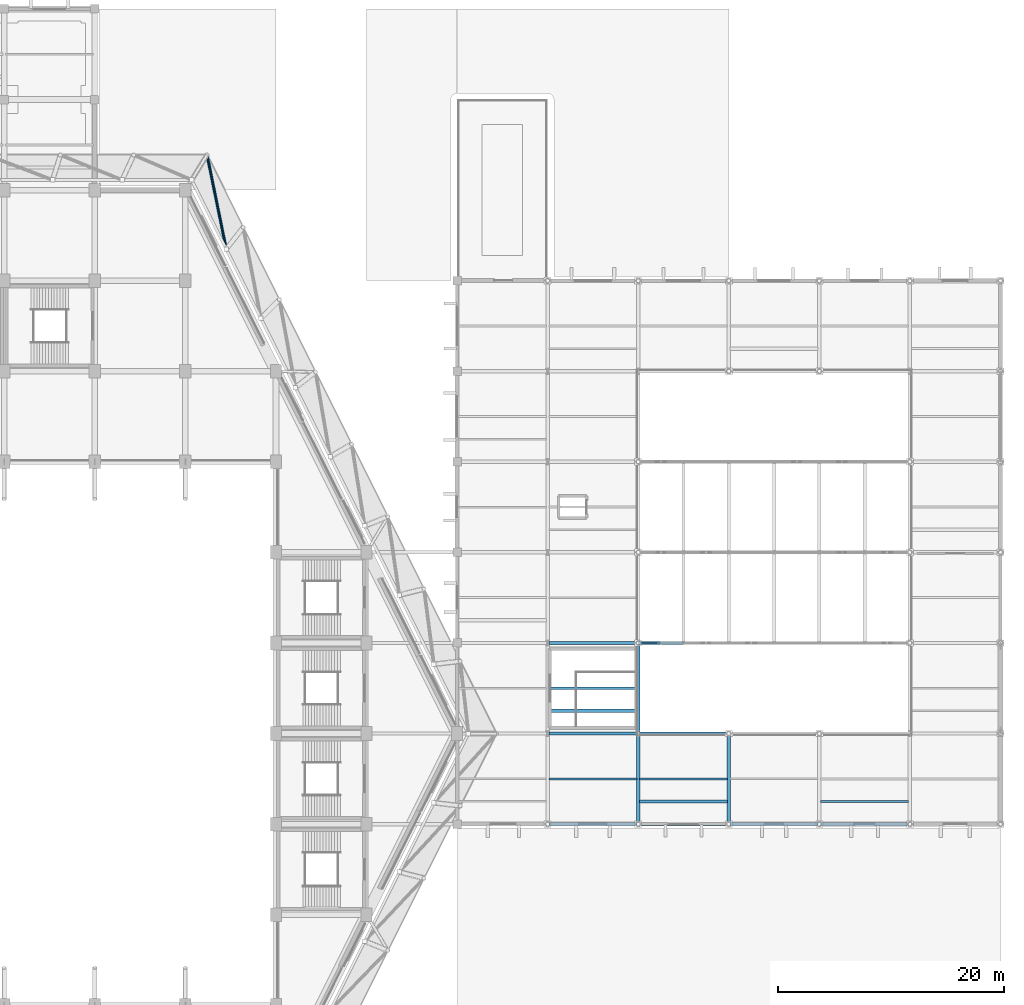
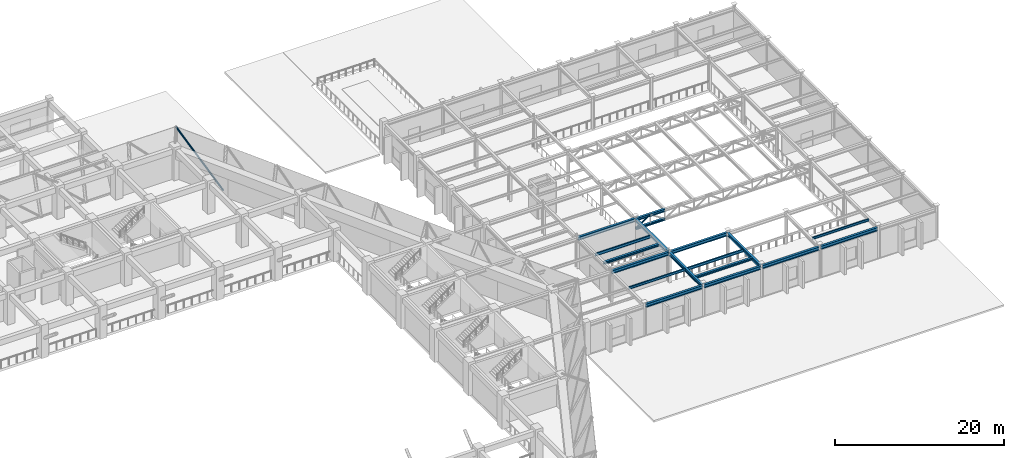
# One storey, part 11 of 46: 16 beams, 4 members.
"""IFC4 building model written with IfcOpenShell, lengths in metres."""

import ifcopenshell
import ifcopenshell.guid

model = None  # the IFC model being written
_history = None  # IfcOwnerHistory: only IFC2X3 demands one
_inside = {}  # id of a spatial element -> (the spatial element, [elements in it])
_under = {}  # id of a project, library or spatial element -> (it, [spatial elements below it])
_declared = {}  # id of a project -> (the project, [libraries it declares])
_typed = {}  # id of a type object -> (the type object, [elements of that type])
_made_of = {}  # id of a material, layer set ... -> (it, [elements and type objects made of it])


def new_model(schema):
    """Start an empty IFC model of exactly this schema.

    Asked for "IFC4X3", IfcOpenShell would pick the latest addendum, in which some entities
    have other attributes; the version numbers below select the first issue.
    IFC2X3 requires an IfcOwnerHistory on every rooted entity: one is made here for all.
    """
    global model, _history
    if schema == "IFC4X3":
        model = ifcopenshell.file(schema_version=(4, 3, 0, 0))
    else:
        model = ifcopenshell.file(schema=schema)
    _inside.clear()
    _under.clear()
    _declared.clear()
    _typed.clear()
    _made_of.clear()
    _history = None
    if model.schema == "IFC2X3":
        org = make("IfcOrganization", Name="unknown")
        user = make(
            "IfcPersonAndOrganization",
            ThePerson=make("IfcPerson", FamilyName="unknown"),
            TheOrganization=org,
        )
        app = make(
            "IfcApplication",
            ApplicationDeveloper=org,
            Version="unknown",
            ApplicationFullName="unknown",
            ApplicationIdentifier="unknown",
        )
        _history = make(
            "IfcOwnerHistory",
            OwningUser=user,
            OwningApplication=app,
            ChangeAction="ADDED",
            CreationDate=0,
        )
    return model


def make(cls, **values):
    """One entity of the class cls with the attributes given. An attribute that is None is left unset."""
    return model.create_entity(
        cls, **{name: value for name, value in values.items() if value is not None}
    )


def rooted(cls, **values):
    """An entity with a GlobalId (a new one), such as an element, a storey or a relation."""
    return make(cls, GlobalId=ifcopenshell.guid.new(), OwnerHistory=_history, **values)


def si_unit(unit_type, name, prefix=None):
    """IfcSIUnit, for example si_unit("LENGTHUNIT", "METRE", prefix="MILLI")."""
    return make("IfcSIUnit", UnitType=unit_type, Prefix=prefix, Name=name)


def assignment(units):
    """IfcUnitAssignment: the units of a project."""
    return None if units is None else make("IfcUnitAssignment", Units=units)


def point(xyz):
    """IfcCartesianPoint."""
    return None if xyz is None else make("IfcCartesianPoint", Coordinates=xyz)


def direction(xyz):
    """IfcDirection."""
    return None if xyz is None else make("IfcDirection", DirectionRatios=xyz)


def frame(location, z_axis=None, x_axis=None):
    """IfcAxis2Placement3D, a coordinate frame: its origin and axes. An axis left out is left unset."""
    return make(
        "IfcAxis2Placement3D",
        Location=point(location),
        Axis=direction(z_axis),
        RefDirection=direction(x_axis),
    )


def frame_2d(location, x_axis=None):
    """IfcAxis2Placement2D, a coordinate frame in the plane: its origin and x axis."""
    return make(
        "IfcAxis2Placement2D", Location=point(location), RefDirection=direction(x_axis)
    )


def origin():
    """The frame at (0, 0, 0) with its axes left unset."""
    return frame((0.0, 0.0, 0.0))


def origin_2d():
    """The frame at (0, 0) in the plane with its x axis left unset."""
    return frame_2d((0.0, 0.0))


def place(relative_to, where):
    """IfcLocalPlacement: puts the frame where relative to a parent placement (None: the world)."""
    return make(
        "IfcLocalPlacement", PlacementRelTo=relative_to, RelativePlacement=where
    )


def context(
    kind, dimensions, precision=None, world=None, true_north=None, identifier=None
):
    """IfcGeometricRepresentationContext, for example the 3D "Model" context."""
    return make(
        "IfcGeometricRepresentationContext",
        ContextIdentifier=identifier,
        ContextType=kind,
        CoordinateSpaceDimension=dimensions,
        Precision=precision,
        WorldCoordinateSystem=world,
        TrueNorth=true_north,
    )


def subcontext(parent, identifier, kind, view, scale=None):
    """IfcGeometricRepresentationSubContext, for example "Body" below "Model"."""
    return make(
        "IfcGeometricRepresentationSubContext",
        ContextIdentifier=identifier,
        ContextType=kind,
        ParentContext=parent,
        TargetScale=scale,
        TargetView=view,
    )


def project(units=None, contexts=None):
    """IfcProject with its units and contexts."""
    return rooted(
        "IfcProject",
        Name="project",
        RepresentationContexts=contexts,
        UnitsInContext=assignment(units),
    )


def spatial(cls, under=None, at=None, **own):
    """A site, building, storey or space (cls), placed at a placement, below another one or the project."""
    s = rooted(cls, ObjectPlacement=at, **own)
    if under is not None:
        _under.setdefault(under.id(), (under, []))[1].append(s)
    return s


def profile(cls, at=None, kind="AREA", **sizes):
    """A parametric profile (cls). Its sizes go by their IFC names, for example OverallWidth=200.0."""
    return make(cls, ProfileType=kind, Position=at, **sizes)


def hollow_circle(**sizes):
    """IfcCircleHollowProfileDef."""
    return profile("IfcCircleHollowProfileDef", **sizes)


def i_section(**sizes):
    """IfcIShapeProfileDef."""
    return profile("IfcIShapeProfileDef", **sizes)


def extrude(swept, where, along, depth):
    """IfcExtrudedAreaSolid: the profile swept, set in the frame where, extruded along a direction by depth."""
    return make(
        "IfcExtrudedAreaSolid",
        SweptArea=swept,
        Position=where,
        ExtrudedDirection=direction(along),
        Depth=depth,
    )


def shape(context_of_items, identifier, shape_type, items):
    """IfcShapeRepresentation: the items that make up one representation, for example the "Body"."""
    return make(
        "IfcShapeRepresentation",
        ContextOfItems=context_of_items,
        RepresentationIdentifier=identifier,
        RepresentationType=shape_type,
        Items=items,
    )


def material(Name=None, Category=None):
    """IfcMaterial."""
    return make("IfcMaterial", Name=Name, Category=Category)


def material_profile(
    of_material, cross_section, Name=None, Category=None, Priority=None
):
    """IfcMaterialProfile: a cross section and its material."""
    return make(
        "IfcMaterialProfile",
        Name=Name,
        Material=of_material,
        Profile=cross_section,
        Priority=Priority,
        Category=Category,
    )


def profile_set(profiles, Name=None, composite=None):
    """IfcMaterialProfileSet."""
    return make(
        "IfcMaterialProfileSet",
        Name=Name,
        MaterialProfiles=profiles,
        CompositeProfile=composite,
    )


def made_of(thing, what):
    """Note that an element or type object is made of a material, layer set ...; save() writes the relation."""
    if what is not None:
        _made_of.setdefault(what.id(), (what, []))[1].append(thing)
    return thing


def type_object(cls, material=None, **own):
    """A type object (cls), such as IfcWallType, which elements share."""
    return made_of(rooted(cls, **own), material)


def element(
    cls,
    number,
    at=None,
    inside=None,
    cuts=None,
    type_object=None,
    material=None,
    context=None,
    identifier="Body",
    shape_type=None,
    held_by="IfcProductDefinitionShape",
    body=None,
    shapes=None,
    **own,
):
    """One element of the class cls, such as IfcWall. Its Tag is "e" and its number.

    at: its placement. inside: the storey or other place that contains it. cuts: it is an
    opening in that element (IfcRelVoidsElement). A single representation is given by context,
    identifier, shape_type and body (its items); several are given by shapes. held_by: the class
    of the entity that holds the representations. save() writes the other relations.
    """
    e = rooted(cls, Tag="e%d" % number, ObjectPlacement=at, **own)
    if body is not None:
        shapes = [shape(context, identifier, shape_type, body)]
    if shapes is not None:
        e.Representation = make(held_by, Representations=shapes)
    if inside is not None:
        _inside.setdefault(inside.id(), (inside, []))[1].append(e)
    if cuts is not None:
        rooted(
            "IfcRelVoidsElement", RelatingBuildingElement=cuts, RelatedOpeningElement=e
        )
    if type_object is not None:
        _typed.setdefault(type_object.id(), (type_object, []))[1].append(e)
    return made_of(e, material)


def aggregate(whole, parts):
    """IfcRelAggregates: a whole, such as a stair, and the parts it consists of."""
    return rooted("IfcRelAggregates", RelatingObject=whole, RelatedObjects=parts)


def save(model, path):
    """Write the relations noted so far, then the file.

    IfcRelAggregates (storeys below a building ...), IfcRelContainedInSpatialStructure (elements
    in a storey), IfcRelDefinesByType, IfcRelAssociatesMaterial and IfcRelDeclares: one each for
    every whole, place, type object, material and project.
    """
    for whole, parts in _under.values():
        aggregate(whole, parts)
    for where, things in _inside.values():
        rooted(
            "IfcRelContainedInSpatialStructure",
            RelatedElements=things,
            RelatingStructure=where,
        )
    for kind, things in _typed.values():
        rooted("IfcRelDefinesByType", RelatedObjects=things, RelatingType=kind)
    for what, things in _made_of.values():
        rooted("IfcRelAssociatesMaterial", RelatedObjects=things, RelatingMaterial=what)
    for by, libraries in _declared.values():
        rooted("IfcRelDeclares", RelatingContext=by, RelatedDefinitions=libraries)
    model.write(path)


model = new_model("IFC4")

# Units and contexts
model_context = context("Model", 3, precision=1e-05, world=origin(), true_north=direction((0.0, 1.0)))
body_context = subcontext(model_context, "Body", "Model", "MODEL_VIEW")
ifc_project = project(units=[si_unit("LENGTHUNIT", "METRE"), si_unit("AREAUNIT", "SQUARE_METRE"), si_unit("VOLUMEUNIT", "CUBIC_METRE"), si_unit("PLANEANGLEUNIT", "RADIAN"), si_unit("MASSUNIT", "GRAM", prefix="KILO")], contexts=[model_context])

# Site, building, storey
site_placement = place(None, origin())
site = spatial("IfcSite", under=ifc_project, at=site_placement, CompositionType="ELEMENT")
building_placement = place(site_placement, origin())
building = spatial("IfcBuilding", under=site, at=building_placement, Name="Tazarka Park Arena", CompositionType="ELEMENT")
storey_placement = place(building_placement, frame((0.0, 0.0, 10.199951171875)))
storey = spatial("IfcBuildingStorey", under=building, at=storey_placement, Name="L02", CompositionType="ELEMENT", Elevation=10.199951171875)

# Beams
ifc_material_1 = material(Name="Steel S355", Category="steel")
ifc_material_profile_1 = material_profile(ifc_material_1, i_section(OverallWidth=0.300048828125, OverallDepth=0.489990234375, WebThickness=0.011962890625, FlangeThickness=0.02294921875, FilletRadius=0.027099609375, at=origin_2d()), Name="Steel S355")
ifc_profile_set_1 = profile_set([ifc_material_profile_1], Name="Steel S355")
beam_type_1 = type_object("IfcBeamType", Name="BM-B-06", PredefinedType="BEAM", material=ifc_profile_set_1)
for number, where, z_axis, x_axis, name in (
    (1, (144.1201171875, 64.0, 4.175048828125), (1.0, 0.0, 0.0), (0.0, 1.0, 0.0), "GXM-L02-18-08"),
    (2, (144.1201171875, 72.0, 4.175048828125), (1.0, 0.0, 0.0), (0.0, 1.0, 0.0), "GXM-L02-18-09"),
    (3, (152.0, 56.1201171875, 4.175048828125), (0.0, 1.0, 0.0), (-1.0, 0.0, 0.0), "GYM-L02-19-07"),
    (4, (152.1201171875, 64.0, 4.175048828125), (1.0, 0.0, 0.0), (0.0, 1.0, 0.0), "GXM-L02-19-08"),
    (5, (152.0, 64.1201171875, 4.175048828125), (0.0, 1.0, 0.0), (-1.0, 0.0, 0.0), "GYM-L02-19-08"),
    (6, (160.0, 56.1201171875, 4.175048828125), (0.0, 1.0, 0.0), (-1.0, 0.0, 0.0), "GYM-L02-20-07"),
):
    element("IfcBeam", number, at=place(storey_placement, frame(where, z_axis=z_axis, x_axis=x_axis)), inside=storey, type_object=beam_type_1, Name=name, PredefinedType="BEAM", context=body_context, shape_type="SweptSolid", body=[
        extrude(i_section(OverallWidth=0.300048828125, OverallDepth=0.489990234375, WebThickness=0.011962890625, FlangeThickness=0.02294921875, FilletRadius=0.027099609375, at=origin_2d()), origin(), (0.0, 0.0, 1.0), 7.759765625),
    ])
ifc_material_2 = material(Name="Steel S355", Category="steel")
ifc_material_profile_2 = material_profile(ifc_material_2, i_section(OverallWidth=0.169921875, OverallDepth=0.360107421875, WebThickness=0.008056640625, FlangeThickness=0.0126953125, FilletRadius=0.01806640625, at=origin_2d()), Name="Steel S355")
ifc_profile_set_2 = profile_set([ifc_material_profile_2], Name="Steel S355")
beam_type_2 = type_object("IfcBeamType", Name="BM-J-02", PredefinedType="JOIST", material=ifc_profile_set_2)
beam_1_placement = place(storey_placement, frame((144.1201171875, 60.0, 4.239990234375), z_axis=(1.0, 0.0, 0.0), x_axis=(0.0, 1.0, 0.0)))
element("IfcBeam", 7, at=beam_1_placement, inside=storey, type_object=beam_type_2, Name="JST-L02-18-07", PredefinedType="JOIST", context=body_context, shape_type="SweptSolid", body=[
    extrude(i_section(OverallWidth=0.169921875, OverallDepth=0.360107421875, WebThickness=0.008056640625, FlangeThickness=0.0126953125, FilletRadius=0.01806640625, at=origin_2d()), origin(), (0.0, 0.0, 1.0), 7.759765625),
])
ifc_material_3 = material(Name="Steel S355", Category="steel")
ifc_material_profile_3 = material_profile(ifc_material_3, i_section(OverallWidth=0.179931640625, OverallDepth=0.39990234375, WebThickness=0.008544921875, FlangeThickness=0.013427734375, FilletRadius=0.02099609375, at=origin_2d()), Name="Steel S355")
ifc_profile_set_3 = profile_set([ifc_material_profile_3], Name="Steel S355")
beam_type_3 = type_object("IfcBeamType", Name="BM-J-03", PredefinedType="JOIST", material=ifc_profile_set_3)
for number, where, z_axis, x_axis, name in (
    (8, (144.1201171875, 68.0, 4.219970703125), (1.0, 0.0, 0.0), (0.0, 1.0, 0.0), "JST-L02-18-08"),
    (9, (152.1201171875, 60.0, 4.219970703125), (1.0, 0.0, 0.0), (0.0, 1.0, 0.0), "JST-L02-19-07"),
):
    element("IfcBeam", number, at=place(storey_placement, frame(where, z_axis=z_axis, x_axis=x_axis)), inside=storey, type_object=beam_type_3, Name=name, PredefinedType="JOIST", context=body_context, shape_type="SweptSolid", body=[
        extrude(i_section(OverallWidth=0.179931640625, OverallDepth=0.39990234375, WebThickness=0.008544921875, FlangeThickness=0.013427734375, FilletRadius=0.02099609375, at=origin_2d()), origin(), (0.0, 0.0, 1.0), 7.759765625),
    ])
ifc_material_4 = material(Name="Steel S355", Category="steel")
ifc_material_profile_4 = material_profile(ifc_material_4, i_section(OverallWidth=0.159912109375, OverallDepth=0.330078125, WebThickness=0.007568359375, FlangeThickness=0.011474609375, FilletRadius=0.01806640625, at=origin_2d()), Name="Steel S355")
ifc_profile_set_4 = profile_set([ifc_material_profile_4], Name="Steel S355")
beam_type_4 = type_object("IfcBeamType", Name="BM-J-05", PredefinedType="JOIST", material=ifc_profile_set_4)
beam_2_placement = place(storey_placement, frame((168.1201171875, 58.0, 4.255126953125), z_axis=(1.0, 0.0, 0.0), x_axis=(0.0, 1.0, 0.0)))
element("IfcBeam", 10, at=beam_2_placement, inside=storey, type_object=beam_type_4, Name="JST2-L02-21-07", PredefinedType="JOIST", context=body_context, shape_type="SweptSolid", body=[
    extrude(i_section(OverallWidth=0.159912109375, OverallDepth=0.330078125, WebThickness=0.007568359375, FlangeThickness=0.011474609375, FilletRadius=0.01806640625, at=origin_2d()), origin(), (0.0, 0.0, 1.0), 7.759765625),
])
ifc_material_5 = material(Name="Steel S355", Category="steel")
ifc_material_profile_5 = material_profile(ifc_material_5, i_section(OverallWidth=0.300048828125, OverallDepth=0.330078125, WebThickness=0.009521484375, FlangeThickness=0.0166015625, FilletRadius=0.027099609375, at=origin_2d()), Name="Steel S355")
ifc_profile_set_5 = profile_set([ifc_material_profile_5], Name="Steel S355")
beam_type_5 = type_object("IfcBeamType", Name="BM-J-06", PredefinedType="JOIST", material=ifc_profile_set_5)
for number, where, z_axis, x_axis, name in (
    (11, (144.1201171875, 66.0, 4.255126953125), (1.0, 0.0, 0.0), (0.0, 1.0, 0.0), "JST2-L02-18-08"),
    (12, (152.1201171875, 58.0, 4.255126953125), (1.0, 0.0, 0.0), (0.0, 1.0, 0.0), "JST2-L02-19-07"),
):
    element("IfcBeam", number, at=place(storey_placement, frame(where, z_axis=z_axis, x_axis=x_axis)), inside=storey, type_object=beam_type_5, Name=name, PredefinedType="JOIST", context=body_context, shape_type="SweptSolid", body=[
        extrude(i_section(OverallWidth=0.300048828125, OverallDepth=0.330078125, WebThickness=0.009521484375, FlangeThickness=0.0166015625, FilletRadius=0.027099609375, at=origin_2d()), origin(), (0.0, 0.0, 1.0), 7.759765625),
    ])
ifc_material_6 = material(Name="Steel S355", Category="steel")
ifc_material_profile_6 = material_profile(ifc_material_6, i_section(OverallWidth=0.300048828125, OverallDepth=0.489990234375, WebThickness=0.011962890625, FlangeThickness=0.02294921875, FilletRadius=0.027099609375, at=origin_2d()), Name="Steel S355")
ifc_profile_set_6 = profile_set([ifc_material_profile_6], Name="Steel S355")
beam_type_6 = type_object("IfcBeamType", Name="BM-SP-02", PredefinedType="SPANDREL", material=ifc_profile_set_6)
for number, where, z_axis, x_axis, name in (
    (13, (144.1201171875, 56.0, 4.175048828125), (1.0, 0.0, 0.0), (0.0, 1.0, 0.0), "GXM-L02-18-07"),
    (14, (152.1201171875, 56.0, 4.175048828125), (1.0, 0.0, 0.0), (0.0, 1.0, 0.0), "GXM-L02-19-07"),
    (15, (160.1201171875, 56.0, 4.175048828125), (1.0, 0.0, 0.0), (0.0, 1.0, 0.0), "GXM-L02-20-07"),
    (16, (168.1201171875, 56.0, 4.175048828125), (1.0, 0.0, 0.0), (0.0, 1.0, 0.0), "GXM-L02-21-07"),
):
    element("IfcBeam", number, at=place(storey_placement, frame(where, z_axis=z_axis, x_axis=x_axis)), inside=storey, type_object=beam_type_6, Name=name, PredefinedType="SPANDREL", context=body_context, shape_type="SweptSolid", body=[
        extrude(i_section(OverallWidth=0.300048828125, OverallDepth=0.489990234375, WebThickness=0.011962890625, FlangeThickness=0.02294921875, FilletRadius=0.027099609375, at=origin_2d()), origin(), (0.0, 0.0, 1.0), 7.759765625),
    ])

# Members
ifc_material_7 = material(Name="Steel S355", Category="steel")
ifc_material_profile_7 = material_profile(ifc_material_7, hollow_circle(Radius=0.109619140625, WallThickness=0.010009765625, at=origin_2d()), Name="Steel S355")
ifc_profile_set_7 = profile_set([ifc_material_profile_7], Name="Steel S355")
member_type_1 = type_object("IfcMemberType", Name="MEM-BR-02", PredefinedType="BRACE", material=ifc_profile_set_7)
member_1_placement = place(storey_placement, frame((152.0, 72.0, 2.85009765625), z_axis=(0.836516005166, 0.0, 0.547942490688), x_axis=(0.0, 1.0, 0.0)))
element("IfcMember", 17, at=member_1_placement, inside=storey, type_object=member_type_1, Name="WTD-A-1-0", PredefinedType="BRACE", context=body_context, shape_type="SweptSolid", body=[
    extrude(hollow_circle(Radius=0.109619140625, WallThickness=0.010009765625, at=origin_2d()), origin(), (0.0, 0.0, 1.0), 2.390869140625),
])
ifc_material_8 = material(Name="Steel S355", Category="steel")
ifc_material_profile_8 = material_profile(ifc_material_8, hollow_circle(Radius=0.122314453125, WallThickness=0.012451171875, at=origin_2d()), Name="Steel S355")
ifc_profile_set_8 = profile_set([ifc_material_profile_8], Name="Steel S355")
member_type_2 = type_object("IfcMemberType", Name="MEM-BR-05", PredefinedType="BRACE", material=ifc_profile_set_8)
member_2_placement = place(storey_placement, frame((115.6123046875, 106.78759765625, 0.0), z_axis=(-0.17402137003, 0.852774842658, 0.492434392079), x_axis=(-0.979807280415, -0.199944225338, 0.0)))
element("IfcMember", 18, at=member_2_placement, inside=storey, type_object=member_type_2, Name="FLD-23", PredefinedType="BRACE", context=body_context, shape_type="SweptSolid", body=[
    extrude(hollow_circle(Radius=0.122314453125, WallThickness=0.012451171875, at=origin_2d()), origin(), (0.0, 0.0, 1.0), 9.74755859375),
])
ifc_material_9 = material(Name="Steel S355", Category="steel")
ifc_material_profile_9 = material_profile(ifc_material_9, i_section(OverallWidth=0.300048828125, OverallDepth=0.300048828125, WebThickness=0.010986328125, FlangeThickness=0.01904296875, FilletRadius=0.027099609375, at=origin_2d()), Name="Steel S355")
ifc_profile_set_9 = profile_set([ifc_material_profile_9], Name="Steel S355")
member_type_3 = type_object("IfcMemberType", Name="MEM-CH-01", PredefinedType="CHORD", material=ifc_profile_set_9)
member_3_placement = place(storey_placement, frame((152.0, 72.0, 2.85009765625), z_axis=(1.0, 0.0, 0.0), x_axis=(0.0, 1.0, 0.0)))
element("IfcMember", 19, at=member_3_placement, inside=storey, type_object=member_type_3, Name="WTC-B-1-0", PredefinedType="CHORD", context=body_context, shape_type="SweptSolid", body=[
    extrude(i_section(OverallWidth=0.300048828125, OverallDepth=0.300048828125, WebThickness=0.010986328125, FlangeThickness=0.01904296875, FilletRadius=0.027099609375, at=origin_2d()), origin(), (0.0, 0.0, 1.0), 4.0),
])
ifc_material_10 = material(Name="Steel S355", Category="steel")
ifc_material_profile_10 = material_profile(ifc_material_10, i_section(OverallWidth=0.300048828125, OverallDepth=0.39990234375, WebThickness=0.013427734375, FlangeThickness=0.02392578125, FilletRadius=0.027099609375, at=origin_2d()), Name="Steel S355")
ifc_profile_set_10 = profile_set([ifc_material_profile_10], Name="Steel S355")
member_type_4 = type_object("IfcMemberType", Name="MEM-CH-02", PredefinedType="CHORD", material=ifc_profile_set_10)
member_4_placement = place(storey_placement, frame((152.0, 72.0, 4.16015625), z_axis=(1.0, 0.0, 0.0), x_axis=(0.0, 1.0, 0.0)))
element("IfcMember", 20, at=member_4_placement, inside=storey, type_object=member_type_4, Name="WTC-T-1-0", PredefinedType="CHORD", context=body_context, shape_type="SweptSolid", body=[
    extrude(i_section(OverallWidth=0.300048828125, OverallDepth=0.39990234375, WebThickness=0.013427734375, FlangeThickness=0.02392578125, FilletRadius=0.027099609375, at=origin_2d()), origin(), (0.0, 0.0, 1.0), 4.0),
])

save(model, "model.ifc")
